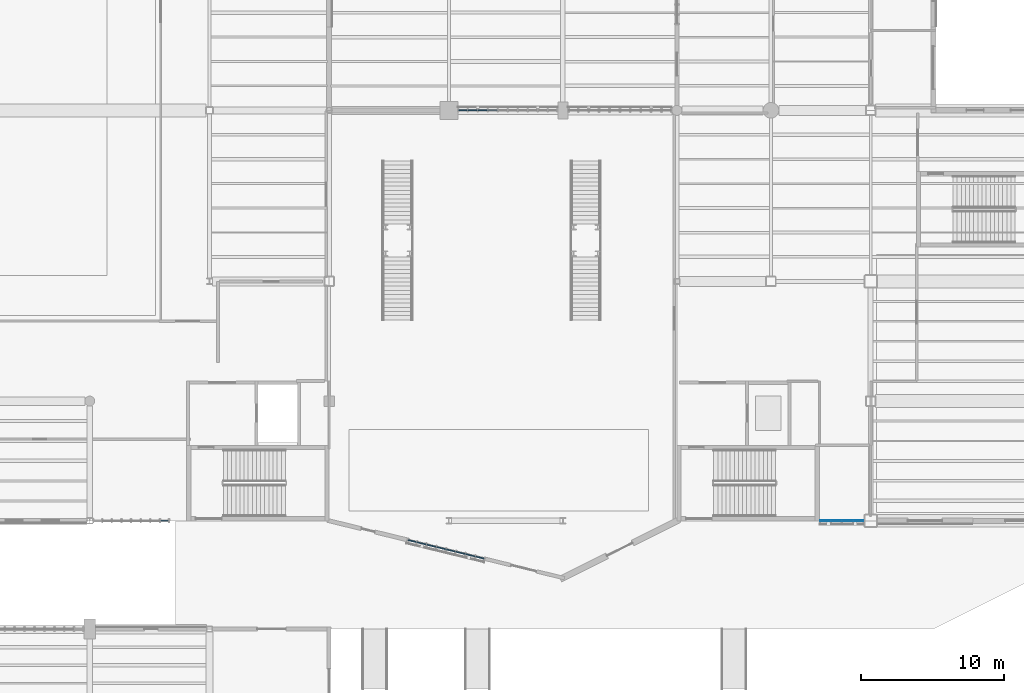
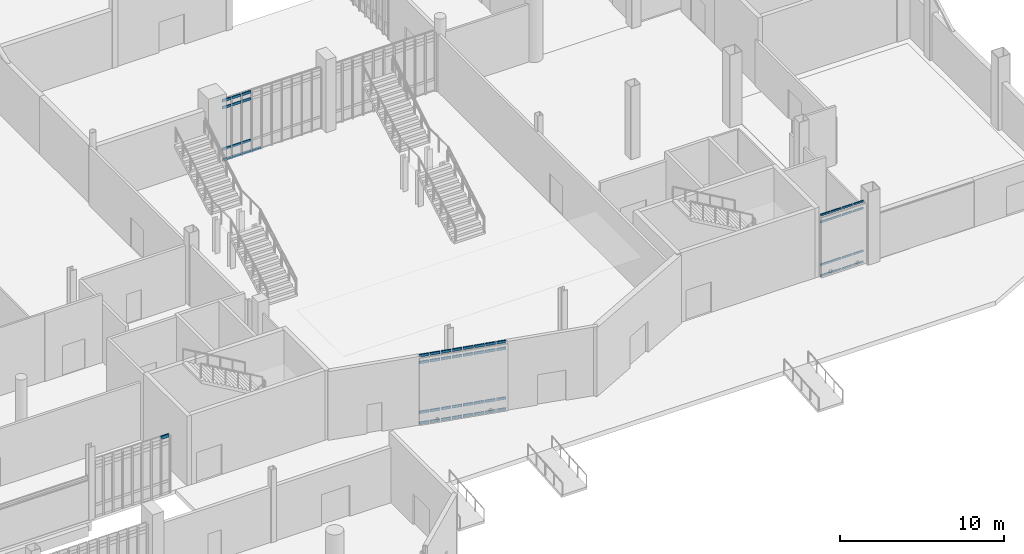
# One storey, part 40 of 111: 62 members, 4 elements without a shape of their own.
"""IFC4 building model written with IfcOpenShell, lengths in metres."""

from ifc_helpers import new_model, si_unit, direction, frame, origin, origin_2d, place, context, subcontext, project, spatial, rectangle, extrude, material, material_profile, profile_set, type_object, element, aggregate, save


model = new_model("IFC4")

# Units and contexts
model_context = context("Model", 3, precision=1e-05, world=origin(), true_north=direction((0.0, 1.0)))
body_context = subcontext(model_context, "Body", "Model", "MODEL_VIEW")
ifc_project = project(units=[si_unit("LENGTHUNIT", "METRE"), si_unit("AREAUNIT", "SQUARE_METRE"), si_unit("VOLUMEUNIT", "CUBIC_METRE"), si_unit("PLANEANGLEUNIT", "RADIAN"), si_unit("MASSUNIT", "GRAM", prefix="KILO")], contexts=[model_context])

# Site, building, storey
site_placement = place(None, origin())
site = spatial("IfcSite", under=ifc_project, at=site_placement, CompositionType="ELEMENT")
building_placement = place(site_placement, origin())
building = spatial("IfcBuilding", under=site, at=building_placement, Name="Larkvane Passage Sports Hall", CompositionType="ELEMENT")
storey_placement = place(building_placement, origin())
storey = spatial("IfcBuildingStorey", under=building, at=storey_placement, Name="L00", CompositionType="ELEMENT", Elevation=0.0)

# Curtain wall, members
ifc_material_1 = material(Name="Thermally broken aluminium and low-E glazing", Category="aluminium")
curtain_wall_type_1 = type_object("IfcCurtainWallType", Name="CW-UNIT-COURT", PredefinedType="USERDEFINED", material=ifc_material_1)
curtain_wall_1_placement = place(storey_placement, origin())
curtain_wall_1 = element("IfcCurtainWall", 1, at=curtain_wall_1_placement, inside=storey, type_object=curtain_wall_type_1, Name="Curtain wall CW5-L00-024", ObjectType="UNITISED CURTAIN WALL", PredefinedType="USERDEFINED")
ifc_material_2 = material(Name="Anodised aluminium 6063-T6", Category="aluminium")
ifc_material_profile_1 = material_profile(ifc_material_2, rectangle(XDim=0.06494140625, YDim=0.139892578125, at=origin_2d()), Name="ALU-TRN-65x140")
ifc_profile_set_1 = profile_set([ifc_material_profile_1], Name="Anodised aluminium 6063-T6")
member_type_1 = type_object("IfcMemberType", Name="CW-TRN-65x140", PredefinedType="USERDEFINED", material=ifc_profile_set_1)
member_1_placement = place(storey_placement, frame((131.089111328125, 22.800048828125, 0.032470703125), z_axis=(-1.0, 0.0, 0.0), x_axis=(0.0, -1.0, 0.0)))
member_1 = element("IfcMember", 2, at=member_1_placement, type_object=member_type_1, Name="CW-01 transom 1.1", ObjectType="TRANSOM", PredefinedType="USERDEFINED", context=body_context, shape_type="SweptSolid", body=[
    extrude(rectangle(XDim=0.06494140625, YDim=0.139892578125, at=origin_2d()), origin(), (0.0, 0.0, 1.0), 0.688720703125),
])
member_2_placement = place(storey_placement, frame((131.089111328125, 22.800048828125, 0.85009765625), z_axis=(-1.0, 0.0, 0.0), x_axis=(0.0, -1.0, 0.0)))
member_2 = element("IfcMember", 3, at=member_2_placement, type_object=member_type_1, Name="CW-01 transom 1.2", ObjectType="TRANSOM", PredefinedType="USERDEFINED", context=body_context, shape_type="SweptSolid", body=[
    extrude(rectangle(XDim=0.06494140625, YDim=0.139892578125, at=origin_2d()), origin(), (0.0, 0.0, 1.0), 0.688720703125),
])
member_3_placement = place(storey_placement, frame((131.089111328125, 22.800048828125, 4.02001953125), z_axis=(-1.0, 0.0, 0.0), x_axis=(0.0, -1.0, 0.0)))
member_3 = element("IfcMember", 4, at=member_3_placement, type_object=member_type_1, Name="CW-01 transom 1.3", ObjectType="TRANSOM", PredefinedType="USERDEFINED", context=body_context, shape_type="SweptSolid", body=[
    extrude(rectangle(XDim=0.06494140625, YDim=0.139892578125, at=origin_2d()), origin(), (0.0, 0.0, 1.0), 0.688720703125),
])
member_4_placement = place(storey_placement, frame((131.089111328125, 22.800048828125, 4.53759765625), z_axis=(-1.0, 0.0, 0.0), x_axis=(0.0, -1.0, 0.0)))
member_4 = element("IfcMember", 5, at=member_4_placement, type_object=member_type_1, Name="CW-01 transom 1.4", ObjectType="TRANSOM", PredefinedType="USERDEFINED", context=body_context, shape_type="SweptSolid", body=[
    extrude(rectangle(XDim=0.06494140625, YDim=0.139892578125, at=origin_2d()), origin(), (0.0, 0.0, 1.0), 0.688720703125),
])
member_5_placement = place(storey_placement, frame((130.33544921875, 22.800048828125, 0.032470703125), z_axis=(-1.0, 0.0, 0.0), x_axis=(0.0, -1.0, 0.0)))
member_5 = element("IfcMember", 6, at=member_5_placement, type_object=member_type_1, Name="CW-01 transom 2.1", ObjectType="TRANSOM", PredefinedType="USERDEFINED", context=body_context, shape_type="SweptSolid", body=[
    extrude(rectangle(XDim=0.06494140625, YDim=0.139892578125, at=origin_2d()), origin(), (0.0, 0.0, 1.0), 0.720947265625),
])
member_6_placement = place(storey_placement, frame((130.33544921875, 22.800048828125, 0.85009765625), z_axis=(-1.0, 0.0, 0.0), x_axis=(0.0, -1.0, 0.0)))
member_6 = element("IfcMember", 7, at=member_6_placement, type_object=member_type_1, Name="CW-01 transom 2.2", ObjectType="TRANSOM", PredefinedType="USERDEFINED", context=body_context, shape_type="SweptSolid", body=[
    extrude(rectangle(XDim=0.06494140625, YDim=0.139892578125, at=origin_2d()), origin(), (0.0, 0.0, 1.0), 0.720947265625),
])
member_7_placement = place(storey_placement, frame((130.33544921875, 22.800048828125, 4.02001953125), z_axis=(-1.0, 0.0, 0.0), x_axis=(0.0, -1.0, 0.0)))
member_7 = element("IfcMember", 8, at=member_7_placement, type_object=member_type_1, Name="CW-01 transom 2.3", ObjectType="TRANSOM", PredefinedType="USERDEFINED", context=body_context, shape_type="SweptSolid", body=[
    extrude(rectangle(XDim=0.06494140625, YDim=0.139892578125, at=origin_2d()), origin(), (0.0, 0.0, 1.0), 0.720947265625),
])
member_8_placement = place(storey_placement, frame((130.33544921875, 22.800048828125, 4.53759765625), z_axis=(-1.0, 0.0, 0.0), x_axis=(0.0, -1.0, 0.0)))
member_8 = element("IfcMember", 9, at=member_8_placement, type_object=member_type_1, Name="CW-01 transom 2.4", ObjectType="TRANSOM", PredefinedType="USERDEFINED", context=body_context, shape_type="SweptSolid", body=[
    extrude(rectangle(XDim=0.06494140625, YDim=0.139892578125, at=origin_2d()), origin(), (0.0, 0.0, 1.0), 0.720947265625),
])
member_9_placement = place(storey_placement, frame((129.549560546875, 22.800048828125, 0.032470703125), z_axis=(-1.0, 0.0, 0.0), x_axis=(0.0, -1.0, 0.0)))
member_9 = element("IfcMember", 10, at=member_9_placement, type_object=member_type_1, Name="CW-01 transom 3.1", ObjectType="TRANSOM", PredefinedType="USERDEFINED", context=body_context, shape_type="SweptSolid", body=[
    extrude(rectangle(XDim=0.06494140625, YDim=0.139892578125, at=origin_2d()), origin(), (0.0, 0.0, 1.0), 0.720947265625),
])
member_10_placement = place(storey_placement, frame((129.549560546875, 22.800048828125, 0.85009765625), z_axis=(-1.0, 0.0, 0.0), x_axis=(0.0, -1.0, 0.0)))
member_10 = element("IfcMember", 11, at=member_10_placement, type_object=member_type_1, Name="CW-01 transom 3.2", ObjectType="TRANSOM", PredefinedType="USERDEFINED", context=body_context, shape_type="SweptSolid", body=[
    extrude(rectangle(XDim=0.06494140625, YDim=0.139892578125, at=origin_2d()), origin(), (0.0, 0.0, 1.0), 0.720947265625),
])
member_11_placement = place(storey_placement, frame((129.549560546875, 22.800048828125, 4.02001953125), z_axis=(-1.0, 0.0, 0.0), x_axis=(0.0, -1.0, 0.0)))
member_11 = element("IfcMember", 12, at=member_11_placement, type_object=member_type_1, Name="CW-01 transom 3.3", ObjectType="TRANSOM", PredefinedType="USERDEFINED", context=body_context, shape_type="SweptSolid", body=[
    extrude(rectangle(XDim=0.06494140625, YDim=0.139892578125, at=origin_2d()), origin(), (0.0, 0.0, 1.0), 0.720947265625),
])
member_12_placement = place(storey_placement, frame((129.549560546875, 22.800048828125, 4.53759765625), z_axis=(-1.0, 0.0, 0.0), x_axis=(0.0, -1.0, 0.0)))
member_12 = element("IfcMember", 13, at=member_12_placement, type_object=member_type_1, Name="CW-01 transom 3.4", ObjectType="TRANSOM", PredefinedType="USERDEFINED", context=body_context, shape_type="SweptSolid", body=[
    extrude(rectangle(XDim=0.06494140625, YDim=0.139892578125, at=origin_2d()), origin(), (0.0, 0.0, 1.0), 0.720947265625),
])
member_13_placement = place(storey_placement, frame((128.763427734375, 22.800048828125, 0.032470703125), z_axis=(-1.0, 0.0, 0.0), x_axis=(0.0, -1.0, 0.0)))
member_13 = element("IfcMember", 14, at=member_13_placement, type_object=member_type_1, Name="CW-01 transom 4.1", ObjectType="TRANSOM", PredefinedType="USERDEFINED", context=body_context, shape_type="SweptSolid", body=[
    extrude(rectangle(XDim=0.06494140625, YDim=0.139892578125, at=origin_2d()), origin(), (0.0, 0.0, 1.0), 0.6884765625),
])
member_14_placement = place(storey_placement, frame((128.763427734375, 22.800048828125, 0.85009765625), z_axis=(-1.0, 0.0, 0.0), x_axis=(0.0, -1.0, 0.0)))
member_14 = element("IfcMember", 15, at=member_14_placement, type_object=member_type_1, Name="CW-01 transom 4.2", ObjectType="TRANSOM", PredefinedType="USERDEFINED", context=body_context, shape_type="SweptSolid", body=[
    extrude(rectangle(XDim=0.06494140625, YDim=0.139892578125, at=origin_2d()), origin(), (0.0, 0.0, 1.0), 0.6884765625),
])
member_15_placement = place(storey_placement, frame((128.763427734375, 22.800048828125, 4.02001953125), z_axis=(-1.0, 0.0, 0.0), x_axis=(0.0, -1.0, 0.0)))
member_15 = element("IfcMember", 16, at=member_15_placement, type_object=member_type_1, Name="CW-01 transom 4.3", ObjectType="TRANSOM", PredefinedType="USERDEFINED", context=body_context, shape_type="SweptSolid", body=[
    extrude(rectangle(XDim=0.06494140625, YDim=0.139892578125, at=origin_2d()), origin(), (0.0, 0.0, 1.0), 0.6884765625),
])
member_16_placement = place(storey_placement, frame((128.763427734375, 22.800048828125, 4.53759765625), z_axis=(-1.0, 0.0, 0.0), x_axis=(0.0, -1.0, 0.0)))
member_16 = element("IfcMember", 17, at=member_16_placement, type_object=member_type_1, Name="CW-01 transom 4.4", ObjectType="TRANSOM", PredefinedType="USERDEFINED", context=body_context, shape_type="SweptSolid", body=[
    extrude(rectangle(XDim=0.06494140625, YDim=0.139892578125, at=origin_2d()), origin(), (0.0, 0.0, 1.0), 0.6884765625),
])
aggregate(curtain_wall_1, [member_1, member_2, member_3, member_4, member_5, member_6, member_7, member_8, member_9, member_10, member_11, member_12, member_13, member_14, member_15, member_16])

curtain_wall_type_2 = type_object("IfcCurtainWallType", Name="CW-UNIT-VEIL", PredefinedType="USERDEFINED", material=ifc_material_1)
curtain_wall_2_placement = place(storey_placement, origin())
curtain_wall_2 = element("IfcCurtainWall", 18, at=curtain_wall_2_placement, inside=storey, type_object=curtain_wall_type_2, Name="Curtain wall CW5-L00-017", ObjectType="UNITISED CURTAIN WALL", PredefinedType="USERDEFINED")
ifc_material_profile_2 = material_profile(ifc_material_2, rectangle(XDim=0.074951171875, YDim=0.18505859375, at=origin_2d()), Name="ALU-TRN-75x185")
ifc_profile_set_2 = profile_set([ifc_material_profile_2], Name="Anodised aluminium 6063-T6")
member_type_2 = type_object("IfcMemberType", Name="CW-TRN-75x185", PredefinedType="USERDEFINED", material=ifc_profile_set_2)
member_17_placement = place(storey_placement, frame((102.696044921875, 51.60009765625, 0.03759765625), z_axis=(1.0, 0.0, 0.0), x_axis=(0.0, 1.0, 0.0)))
member_17 = element("IfcMember", 19, at=member_17_placement, type_object=member_type_2, Name="CW-02 transom 1.1", ObjectType="TRANSOM", PredefinedType="USERDEFINED", context=body_context, shape_type="SweptSolid", body=[
    extrude(rectangle(XDim=0.074951171875, YDim=0.18505859375, at=origin_2d()), origin(), (0.0, 0.0, 1.0), 0.5908203125),
])
member_18_placement = place(storey_placement, frame((102.696044921875, 51.60009765625, 0.85009765625), z_axis=(1.0, 0.0, 0.0), x_axis=(0.0, 1.0, 0.0)))
member_18 = element("IfcMember", 20, at=member_18_placement, type_object=member_type_2, Name="CW-02 transom 1.2", ObjectType="TRANSOM", PredefinedType="USERDEFINED", context=body_context, shape_type="SweptSolid", body=[
    extrude(rectangle(XDim=0.074951171875, YDim=0.18505859375, at=origin_2d()), origin(), (0.0, 0.0, 1.0), 0.5908203125),
])
member_19_placement = place(storey_placement, frame((102.696044921875, 51.60009765625, 3.929931640625), z_axis=(1.0, 0.0, 0.0), x_axis=(0.0, 1.0, 0.0)))
member_19 = element("IfcMember", 21, at=member_19_placement, type_object=member_type_2, Name="CW-02 transom 1.3", ObjectType="TRANSOM", PredefinedType="USERDEFINED", context=body_context, shape_type="SweptSolid", body=[
    extrude(rectangle(XDim=0.074951171875, YDim=0.18505859375, at=origin_2d()), origin(), (0.0, 0.0, 1.0), 0.5908203125),
])
member_20_placement = place(storey_placement, frame((102.696044921875, 51.60009765625, 4.4423828125), z_axis=(1.0, 0.0, 0.0), x_axis=(0.0, 1.0, 0.0)))
member_20 = element("IfcMember", 22, at=member_20_placement, type_object=member_type_2, Name="CW-02 transom 1.4", ObjectType="TRANSOM", PredefinedType="USERDEFINED", context=body_context, shape_type="SweptSolid", body=[
    extrude(rectangle(XDim=0.074951171875, YDim=0.18505859375, at=origin_2d()), origin(), (0.0, 0.0, 1.0), 0.5908203125),
])
member_21_placement = place(storey_placement, frame((103.36181640625, 51.60009765625, 0.03759765625), z_axis=(1.0, 0.0, 0.0), x_axis=(0.0, 1.0, 0.0)))
member_21 = element("IfcMember", 23, at=member_21_placement, type_object=member_type_2, Name="CW-02 transom 2.1", ObjectType="TRANSOM", PredefinedType="USERDEFINED", context=body_context, shape_type="SweptSolid", body=[
    extrude(rectangle(XDim=0.074951171875, YDim=0.18505859375, at=origin_2d()), origin(), (0.0, 0.0, 1.0), 0.628173828125),
])
member_22_placement = place(storey_placement, frame((103.36181640625, 51.60009765625, 0.85009765625), z_axis=(1.0, 0.0, 0.0), x_axis=(0.0, 1.0, 0.0)))
member_22 = element("IfcMember", 24, at=member_22_placement, type_object=member_type_2, Name="CW-02 transom 2.2", ObjectType="TRANSOM", PredefinedType="USERDEFINED", context=body_context, shape_type="SweptSolid", body=[
    extrude(rectangle(XDim=0.074951171875, YDim=0.18505859375, at=origin_2d()), origin(), (0.0, 0.0, 1.0), 0.628173828125),
])
member_23_placement = place(storey_placement, frame((103.36181640625, 51.60009765625, 3.929931640625), z_axis=(1.0, 0.0, 0.0), x_axis=(0.0, 1.0, 0.0)))
member_23 = element("IfcMember", 25, at=member_23_placement, type_object=member_type_2, Name="CW-02 transom 2.3", ObjectType="TRANSOM", PredefinedType="USERDEFINED", context=body_context, shape_type="SweptSolid", body=[
    extrude(rectangle(XDim=0.074951171875, YDim=0.18505859375, at=origin_2d()), origin(), (0.0, 0.0, 1.0), 0.628173828125),
])
member_24_placement = place(storey_placement, frame((103.36181640625, 51.60009765625, 4.4423828125), z_axis=(1.0, 0.0, 0.0), x_axis=(0.0, 1.0, 0.0)))
member_24 = element("IfcMember", 26, at=member_24_placement, type_object=member_type_2, Name="CW-02 transom 2.4", ObjectType="TRANSOM", PredefinedType="USERDEFINED", context=body_context, shape_type="SweptSolid", body=[
    extrude(rectangle(XDim=0.074951171875, YDim=0.18505859375, at=origin_2d()), origin(), (0.0, 0.0, 1.0), 0.628173828125),
])
member_25_placement = place(storey_placement, frame((104.065185546875, 51.60009765625, 0.03759765625), z_axis=(1.0, 0.0, 0.0), x_axis=(0.0, 1.0, 0.0)))
member_25 = element("IfcMember", 27, at=member_25_placement, type_object=member_type_2, Name="CW-02 transom 3.1", ObjectType="TRANSOM", PredefinedType="USERDEFINED", context=body_context, shape_type="SweptSolid", body=[
    extrude(rectangle(XDim=0.074951171875, YDim=0.18505859375, at=origin_2d()), origin(), (0.0, 0.0, 1.0), 0.628173828125),
])
member_26_placement = place(storey_placement, frame((104.065185546875, 51.60009765625, 0.85009765625), z_axis=(1.0, 0.0, 0.0), x_axis=(0.0, 1.0, 0.0)))
member_26 = element("IfcMember", 28, at=member_26_placement, type_object=member_type_2, Name="CW-02 transom 3.2", ObjectType="TRANSOM", PredefinedType="USERDEFINED", context=body_context, shape_type="SweptSolid", body=[
    extrude(rectangle(XDim=0.074951171875, YDim=0.18505859375, at=origin_2d()), origin(), (0.0, 0.0, 1.0), 0.628173828125),
])
member_27_placement = place(storey_placement, frame((104.065185546875, 51.60009765625, 3.929931640625), z_axis=(1.0, 0.0, 0.0), x_axis=(0.0, 1.0, 0.0)))
member_27 = element("IfcMember", 29, at=member_27_placement, type_object=member_type_2, Name="CW-02 transom 3.3", ObjectType="TRANSOM", PredefinedType="USERDEFINED", context=body_context, shape_type="SweptSolid", body=[
    extrude(rectangle(XDim=0.074951171875, YDim=0.18505859375, at=origin_2d()), origin(), (0.0, 0.0, 1.0), 0.628173828125),
])
member_28_placement = place(storey_placement, frame((104.065185546875, 51.60009765625, 4.4423828125), z_axis=(1.0, 0.0, 0.0), x_axis=(0.0, 1.0, 0.0)))
member_28 = element("IfcMember", 30, at=member_28_placement, type_object=member_type_2, Name="CW-02 transom 3.4", ObjectType="TRANSOM", PredefinedType="USERDEFINED", context=body_context, shape_type="SweptSolid", body=[
    extrude(rectangle(XDim=0.074951171875, YDim=0.18505859375, at=origin_2d()), origin(), (0.0, 0.0, 1.0), 0.628173828125),
])
member_29_placement = place(storey_placement, frame((104.768310546875, 51.60009765625, 0.03759765625), z_axis=(1.0, 0.0, 0.0), x_axis=(0.0, 1.0, 0.0)))
member_29 = element("IfcMember", 31, at=member_29_placement, type_object=member_type_2, Name="CW-02 transom 4.1", ObjectType="TRANSOM", PredefinedType="USERDEFINED", context=body_context, shape_type="SweptSolid", body=[
    extrude(rectangle(XDim=0.074951171875, YDim=0.18505859375, at=origin_2d()), origin(), (0.0, 0.0, 1.0), 0.62841796875),
])
aggregate(curtain_wall_2, [member_17, member_18, member_19, member_20, member_21, member_22, member_23, member_24, member_25, member_26, member_27, member_28, member_29])

curtain_wall_3_placement = place(storey_placement, origin())
curtain_wall_3 = element("IfcCurtainWall", 32, at=curtain_wall_3_placement, inside=storey, type_object=curtain_wall_type_2, Name="Curtain wall CW5-L00-025", ObjectType="UNITISED CURTAIN WALL", PredefinedType="USERDEFINED")
member_30_placement = place(storey_placement, frame((104.46044921875, 20.151123046875, 0.03759765625), z_axis=(-0.971559771224, 0.236794448708, 0.0), x_axis=(-0.236794448708, -0.971559771224, 0.0)))
member_30 = element("IfcMember", 33, at=member_30_placement, type_object=member_type_2, Name="CW-02 transom 1.1", ObjectType="TRANSOM", PredefinedType="USERDEFINED", context=body_context, shape_type="SweptSolid", body=[
    extrude(rectangle(XDim=0.074951171875, YDim=0.18505859375, at=origin_2d()), origin(), (0.0, 0.0, 1.0), 0.5908203125),
])
member_31_placement = place(storey_placement, frame((104.46044921875, 20.151123046875, 0.85009765625), z_axis=(-0.971559771224, 0.236794448708, 0.0), x_axis=(-0.236794448708, -0.971559771224, 0.0)))
member_31 = element("IfcMember", 34, at=member_31_placement, type_object=member_type_2, Name="CW-02 transom 1.2", ObjectType="TRANSOM", PredefinedType="USERDEFINED", context=body_context, shape_type="SweptSolid", body=[
    extrude(rectangle(XDim=0.074951171875, YDim=0.18505859375, at=origin_2d()), origin(), (0.0, 0.0, 1.0), 0.5908203125),
])
member_32_placement = place(storey_placement, frame((104.46044921875, 20.151123046875, 4.550048828125), z_axis=(-0.971559771224, 0.236794448708, 0.0), x_axis=(-0.236794448708, -0.971559771224, 0.0)))
member_32 = element("IfcMember", 35, at=member_32_placement, type_object=member_type_2, Name="CW-02 transom 1.3", ObjectType="TRANSOM", PredefinedType="USERDEFINED", context=body_context, shape_type="SweptSolid", body=[
    extrude(rectangle(XDim=0.074951171875, YDim=0.18505859375, at=origin_2d()), origin(), (0.0, 0.0, 1.0), 0.5908203125),
])
member_33_placement = place(storey_placement, frame((104.46044921875, 20.151123046875, 5.0625), z_axis=(-0.971559771224, 0.236794448708, 0.0), x_axis=(-0.236794448708, -0.971559771224, 0.0)))
member_33 = element("IfcMember", 36, at=member_33_placement, type_object=member_type_2, Name="CW-02 transom 1.4", ObjectType="TRANSOM", PredefinedType="USERDEFINED", context=body_context, shape_type="SweptSolid", body=[
    extrude(rectangle(XDim=0.074951171875, YDim=0.18505859375, at=origin_2d()), origin(), (0.0, 0.0, 1.0), 0.5908203125),
])
member_34_placement = place(storey_placement, frame((103.8134765625, 20.308837890625, 0.03759765625), z_axis=(-0.971498515495, 0.237045637781, 0.0), x_axis=(-0.237045637781, -0.971498515495, 0.0)))
member_34 = element("IfcMember", 37, at=member_34_placement, type_object=member_type_2, Name="CW-02 transom 2.1", ObjectType="TRANSOM", PredefinedType="USERDEFINED", context=body_context, shape_type="SweptSolid", body=[
    extrude(rectangle(XDim=0.074951171875, YDim=0.18505859375, at=origin_2d()), origin(), (0.0, 0.0, 1.0), 0.628173828125),
])
member_35_placement = place(storey_placement, frame((103.8134765625, 20.308837890625, 0.85009765625), z_axis=(-0.971498515495, 0.237045637781, 0.0), x_axis=(-0.237045637781, -0.971498515495, 0.0)))
member_35 = element("IfcMember", 38, at=member_35_placement, type_object=member_type_2, Name="CW-02 transom 2.2", ObjectType="TRANSOM", PredefinedType="USERDEFINED", context=body_context, shape_type="SweptSolid", body=[
    extrude(rectangle(XDim=0.074951171875, YDim=0.18505859375, at=origin_2d()), origin(), (0.0, 0.0, 1.0), 0.628173828125),
])
member_36_placement = place(storey_placement, frame((103.8134765625, 20.308837890625, 4.550048828125), z_axis=(-0.971498515495, 0.237045637781, 0.0), x_axis=(-0.237045637781, -0.971498515495, 0.0)))
member_36 = element("IfcMember", 39, at=member_36_placement, type_object=member_type_2, Name="CW-02 transom 2.3", ObjectType="TRANSOM", PredefinedType="USERDEFINED", context=body_context, shape_type="SweptSolid", body=[
    extrude(rectangle(XDim=0.074951171875, YDim=0.18505859375, at=origin_2d()), origin(), (0.0, 0.0, 1.0), 0.628173828125),
])
member_37_placement = place(storey_placement, frame((103.8134765625, 20.308837890625, 5.0625), z_axis=(-0.971498515495, 0.237045637781, 0.0), x_axis=(-0.237045637781, -0.971498515495, 0.0)))
member_37 = element("IfcMember", 40, at=member_37_placement, type_object=member_type_2, Name="CW-02 transom 2.4", ObjectType="TRANSOM", PredefinedType="USERDEFINED", context=body_context, shape_type="SweptSolid", body=[
    extrude(rectangle(XDim=0.074951171875, YDim=0.18505859375, at=origin_2d()), origin(), (0.0, 0.0, 1.0), 0.628173828125),
])
member_38_placement = place(storey_placement, frame((103.130126953125, 20.4755859375, 0.03759765625), z_axis=(-0.971498515495, 0.237045637781, 0.0), x_axis=(-0.237045637781, -0.971498515495, 0.0)))
member_38 = element("IfcMember", 41, at=member_38_placement, type_object=member_type_2, Name="CW-02 transom 3.1", ObjectType="TRANSOM", PredefinedType="USERDEFINED", context=body_context, shape_type="SweptSolid", body=[
    extrude(rectangle(XDim=0.074951171875, YDim=0.18505859375, at=origin_2d()), origin(), (0.0, 0.0, 1.0), 0.628173828125),
])
member_39_placement = place(storey_placement, frame((103.130126953125, 20.4755859375, 0.85009765625), z_axis=(-0.971498515495, 0.237045637781, 0.0), x_axis=(-0.237045637781, -0.971498515495, 0.0)))
member_39 = element("IfcMember", 42, at=member_39_placement, type_object=member_type_2, Name="CW-02 transom 3.2", ObjectType="TRANSOM", PredefinedType="USERDEFINED", context=body_context, shape_type="SweptSolid", body=[
    extrude(rectangle(XDim=0.074951171875, YDim=0.18505859375, at=origin_2d()), origin(), (0.0, 0.0, 1.0), 0.628173828125),
])
member_40_placement = place(storey_placement, frame((103.130126953125, 20.4755859375, 4.550048828125), z_axis=(-0.971498515495, 0.237045637781, 0.0), x_axis=(-0.237045637781, -0.971498515495, 0.0)))
member_40 = element("IfcMember", 43, at=member_40_placement, type_object=member_type_2, Name="CW-02 transom 3.3", ObjectType="TRANSOM", PredefinedType="USERDEFINED", context=body_context, shape_type="SweptSolid", body=[
    extrude(rectangle(XDim=0.074951171875, YDim=0.18505859375, at=origin_2d()), origin(), (0.0, 0.0, 1.0), 0.628173828125),
])
member_41_placement = place(storey_placement, frame((103.130126953125, 20.4755859375, 5.0625), z_axis=(-0.971498515495, 0.237045637781, 0.0), x_axis=(-0.237045637781, -0.971498515495, 0.0)))
member_41 = element("IfcMember", 44, at=member_41_placement, type_object=member_type_2, Name="CW-02 transom 3.4", ObjectType="TRANSOM", PredefinedType="USERDEFINED", context=body_context, shape_type="SweptSolid", body=[
    extrude(rectangle(XDim=0.074951171875, YDim=0.18505859375, at=origin_2d()), origin(), (0.0, 0.0, 1.0), 0.628173828125),
])
member_42_placement = place(storey_placement, frame((102.44677734375, 20.64208984375, 0.03759765625), z_axis=(-0.971498515495, 0.237045637781, 0.0), x_axis=(-0.237045637781, -0.971498515495, 0.0)))
member_42 = element("IfcMember", 45, at=member_42_placement, type_object=member_type_2, Name="CW-02 transom 4.1", ObjectType="TRANSOM", PredefinedType="USERDEFINED", context=body_context, shape_type="SweptSolid", body=[
    extrude(rectangle(XDim=0.074951171875, YDim=0.18505859375, at=origin_2d()), origin(), (0.0, 0.0, 1.0), 0.628173828125),
])
member_43_placement = place(storey_placement, frame((102.44677734375, 20.64208984375, 0.85009765625), z_axis=(-0.971498515495, 0.237045637781, 0.0), x_axis=(-0.237045637781, -0.971498515495, 0.0)))
member_43 = element("IfcMember", 46, at=member_43_placement, type_object=member_type_2, Name="CW-02 transom 4.2", ObjectType="TRANSOM", PredefinedType="USERDEFINED", context=body_context, shape_type="SweptSolid", body=[
    extrude(rectangle(XDim=0.074951171875, YDim=0.18505859375, at=origin_2d()), origin(), (0.0, 0.0, 1.0), 0.628173828125),
])
member_44_placement = place(storey_placement, frame((102.44677734375, 20.64208984375, 4.550048828125), z_axis=(-0.971498515495, 0.237045637781, 0.0), x_axis=(-0.237045637781, -0.971498515495, 0.0)))
member_44 = element("IfcMember", 47, at=member_44_placement, type_object=member_type_2, Name="CW-02 transom 4.3", ObjectType="TRANSOM", PredefinedType="USERDEFINED", context=body_context, shape_type="SweptSolid", body=[
    extrude(rectangle(XDim=0.074951171875, YDim=0.18505859375, at=origin_2d()), origin(), (0.0, 0.0, 1.0), 0.628173828125),
])
member_45_placement = place(storey_placement, frame((102.44677734375, 20.64208984375, 5.0625), z_axis=(-0.971498515495, 0.237045637781, 0.0), x_axis=(-0.237045637781, -0.971498515495, 0.0)))
member_45 = element("IfcMember", 48, at=member_45_placement, type_object=member_type_2, Name="CW-02 transom 4.4", ObjectType="TRANSOM", PredefinedType="USERDEFINED", context=body_context, shape_type="SweptSolid", body=[
    extrude(rectangle(XDim=0.074951171875, YDim=0.18505859375, at=origin_2d()), origin(), (0.0, 0.0, 1.0), 0.628173828125),
])
member_46_placement = place(storey_placement, frame((101.763671875, 20.808837890625, 0.03759765625), z_axis=(-0.971520338783, 0.236956180191, 0.0), x_axis=(-0.236956180191, -0.971520338783, 0.0)))
member_46 = element("IfcMember", 49, at=member_46_placement, type_object=member_type_2, Name="CW-02 transom 5.1", ObjectType="TRANSOM", PredefinedType="USERDEFINED", context=body_context, shape_type="SweptSolid", body=[
    extrude(rectangle(XDim=0.074951171875, YDim=0.18505859375, at=origin_2d()), origin(), (0.0, 0.0, 1.0), 0.62841796875),
])
member_47_placement = place(storey_placement, frame((101.763671875, 20.808837890625, 0.85009765625), z_axis=(-0.971520338783, 0.236956180191, 0.0), x_axis=(-0.236956180191, -0.971520338783, 0.0)))
member_47 = element("IfcMember", 50, at=member_47_placement, type_object=member_type_2, Name="CW-02 transom 5.2", ObjectType="TRANSOM", PredefinedType="USERDEFINED", context=body_context, shape_type="SweptSolid", body=[
    extrude(rectangle(XDim=0.074951171875, YDim=0.18505859375, at=origin_2d()), origin(), (0.0, 0.0, 1.0), 0.62841796875),
])
member_48_placement = place(storey_placement, frame((101.763671875, 20.808837890625, 4.550048828125), z_axis=(-0.971520338783, 0.236956180191, 0.0), x_axis=(-0.236956180191, -0.971520338783, 0.0)))
member_48 = element("IfcMember", 51, at=member_48_placement, type_object=member_type_2, Name="CW-02 transom 5.3", ObjectType="TRANSOM", PredefinedType="USERDEFINED", context=body_context, shape_type="SweptSolid", body=[
    extrude(rectangle(XDim=0.074951171875, YDim=0.18505859375, at=origin_2d()), origin(), (0.0, 0.0, 1.0), 0.62841796875),
])
member_49_placement = place(storey_placement, frame((101.763671875, 20.808837890625, 5.0625), z_axis=(-0.971520338783, 0.236956180191, 0.0), x_axis=(-0.236956180191, -0.971520338783, 0.0)))
member_49 = element("IfcMember", 52, at=member_49_placement, type_object=member_type_2, Name="CW-02 transom 5.4", ObjectType="TRANSOM", PredefinedType="USERDEFINED", context=body_context, shape_type="SweptSolid", body=[
    extrude(rectangle(XDim=0.074951171875, YDim=0.18505859375, at=origin_2d()), origin(), (0.0, 0.0, 1.0), 0.62841796875),
])
member_50_placement = place(storey_placement, frame((101.080322265625, 20.9755859375, 0.03759765625), z_axis=(-0.971520338783, 0.236956180191, 0.0), x_axis=(-0.236956180191, -0.971520338783, 0.0)))
member_50 = element("IfcMember", 53, at=member_50_placement, type_object=member_type_2, Name="CW-02 transom 6.1", ObjectType="TRANSOM", PredefinedType="USERDEFINED", context=body_context, shape_type="SweptSolid", body=[
    extrude(rectangle(XDim=0.074951171875, YDim=0.18505859375, at=origin_2d()), origin(), (0.0, 0.0, 1.0), 0.62841796875),
])
member_51_placement = place(storey_placement, frame((101.080322265625, 20.9755859375, 0.85009765625), z_axis=(-0.971520338783, 0.236956180191, 0.0), x_axis=(-0.236956180191, -0.971520338783, 0.0)))
member_51 = element("IfcMember", 54, at=member_51_placement, type_object=member_type_2, Name="CW-02 transom 6.2", ObjectType="TRANSOM", PredefinedType="USERDEFINED", context=body_context, shape_type="SweptSolid", body=[
    extrude(rectangle(XDim=0.074951171875, YDim=0.18505859375, at=origin_2d()), origin(), (0.0, 0.0, 1.0), 0.62841796875),
])
member_52_placement = place(storey_placement, frame((101.080322265625, 20.9755859375, 4.550048828125), z_axis=(-0.971520338783, 0.236956180191, 0.0), x_axis=(-0.236956180191, -0.971520338783, 0.0)))
member_52 = element("IfcMember", 55, at=member_52_placement, type_object=member_type_2, Name="CW-02 transom 6.3", ObjectType="TRANSOM", PredefinedType="USERDEFINED", context=body_context, shape_type="SweptSolid", body=[
    extrude(rectangle(XDim=0.074951171875, YDim=0.18505859375, at=origin_2d()), origin(), (0.0, 0.0, 1.0), 0.62841796875),
])
member_53_placement = place(storey_placement, frame((101.080322265625, 20.9755859375, 5.0625), z_axis=(-0.971520338783, 0.236956180191, 0.0), x_axis=(-0.236956180191, -0.971520338783, 0.0)))
member_53 = element("IfcMember", 56, at=member_53_placement, type_object=member_type_2, Name="CW-02 transom 6.4", ObjectType="TRANSOM", PredefinedType="USERDEFINED", context=body_context, shape_type="SweptSolid", body=[
    extrude(rectangle(XDim=0.074951171875, YDim=0.18505859375, at=origin_2d()), origin(), (0.0, 0.0, 1.0), 0.62841796875),
])
member_54_placement = place(storey_placement, frame((100.39697265625, 21.142333984375, 0.03759765625), z_axis=(-0.971520338783, 0.236956180191, 0.0), x_axis=(-0.236956180191, -0.971520338783, 0.0)))
member_54 = element("IfcMember", 57, at=member_54_placement, type_object=member_type_2, Name="CW-02 transom 7.1", ObjectType="TRANSOM", PredefinedType="USERDEFINED", context=body_context, shape_type="SweptSolid", body=[
    extrude(rectangle(XDim=0.074951171875, YDim=0.18505859375, at=origin_2d()), origin(), (0.0, 0.0, 1.0), 0.62841796875),
])
member_55_placement = place(storey_placement, frame((100.39697265625, 21.142333984375, 0.85009765625), z_axis=(-0.971520338783, 0.236956180191, 0.0), x_axis=(-0.236956180191, -0.971520338783, 0.0)))
member_55 = element("IfcMember", 58, at=member_55_placement, type_object=member_type_2, Name="CW-02 transom 7.2", ObjectType="TRANSOM", PredefinedType="USERDEFINED", context=body_context, shape_type="SweptSolid", body=[
    extrude(rectangle(XDim=0.074951171875, YDim=0.18505859375, at=origin_2d()), origin(), (0.0, 0.0, 1.0), 0.62841796875),
])
member_56_placement = place(storey_placement, frame((100.39697265625, 21.142333984375, 4.550048828125), z_axis=(-0.971520338783, 0.236956180191, 0.0), x_axis=(-0.236956180191, -0.971520338783, 0.0)))
member_56 = element("IfcMember", 59, at=member_56_placement, type_object=member_type_2, Name="CW-02 transom 7.3", ObjectType="TRANSOM", PredefinedType="USERDEFINED", context=body_context, shape_type="SweptSolid", body=[
    extrude(rectangle(XDim=0.074951171875, YDim=0.18505859375, at=origin_2d()), origin(), (0.0, 0.0, 1.0), 0.62841796875),
])
member_57_placement = place(storey_placement, frame((100.39697265625, 21.142333984375, 5.0625), z_axis=(-0.971520338783, 0.236956180191, 0.0), x_axis=(-0.236956180191, -0.971520338783, 0.0)))
member_57 = element("IfcMember", 60, at=member_57_placement, type_object=member_type_2, Name="CW-02 transom 7.4", ObjectType="TRANSOM", PredefinedType="USERDEFINED", context=body_context, shape_type="SweptSolid", body=[
    extrude(rectangle(XDim=0.074951171875, YDim=0.18505859375, at=origin_2d()), origin(), (0.0, 0.0, 1.0), 0.62841796875),
])
member_58_placement = place(storey_placement, frame((99.713623046875, 21.308837890625, 0.03759765625), z_axis=(-0.971464629079, 0.237184473454, 0.0), x_axis=(-0.237184473454, -0.971464629079, 0.0)))
member_58 = element("IfcMember", 61, at=member_58_placement, type_object=member_type_2, Name="CW-02 transom 8.1", ObjectType="TRANSOM", PredefinedType="USERDEFINED", context=body_context, shape_type="SweptSolid", body=[
    extrude(rectangle(XDim=0.074951171875, YDim=0.18505859375, at=origin_2d()), origin(), (0.0, 0.0, 1.0), 0.5908203125),
])
member_59_placement = place(storey_placement, frame((99.713623046875, 21.308837890625, 0.85009765625), z_axis=(-0.971464629079, 0.237184473454, 0.0), x_axis=(-0.237184473454, -0.971464629079, 0.0)))
member_59 = element("IfcMember", 62, at=member_59_placement, type_object=member_type_2, Name="CW-02 transom 8.2", ObjectType="TRANSOM", PredefinedType="USERDEFINED", context=body_context, shape_type="SweptSolid", body=[
    extrude(rectangle(XDim=0.074951171875, YDim=0.18505859375, at=origin_2d()), origin(), (0.0, 0.0, 1.0), 0.5908203125),
])
member_60_placement = place(storey_placement, frame((99.713623046875, 21.308837890625, 4.550048828125), z_axis=(-0.971464629079, 0.237184473454, 0.0), x_axis=(-0.237184473454, -0.971464629079, 0.0)))
member_60 = element("IfcMember", 63, at=member_60_placement, type_object=member_type_2, Name="CW-02 transom 8.3", ObjectType="TRANSOM", PredefinedType="USERDEFINED", context=body_context, shape_type="SweptSolid", body=[
    extrude(rectangle(XDim=0.074951171875, YDim=0.18505859375, at=origin_2d()), origin(), (0.0, 0.0, 1.0), 0.5908203125),
])
member_61_placement = place(storey_placement, frame((99.713623046875, 21.308837890625, 5.0625), z_axis=(-0.971464629079, 0.237184473454, 0.0), x_axis=(-0.237184473454, -0.971464629079, 0.0)))
member_61 = element("IfcMember", 64, at=member_61_placement, type_object=member_type_2, Name="CW-02 transom 8.4", ObjectType="TRANSOM", PredefinedType="USERDEFINED", context=body_context, shape_type="SweptSolid", body=[
    extrude(rectangle(XDim=0.074951171875, YDim=0.18505859375, at=origin_2d()), origin(), (0.0, 0.0, 1.0), 0.5908203125),
])
aggregate(curtain_wall_3, [member_30, member_31, member_32, member_33, member_34, member_35, member_36, member_37, member_38, member_39, member_40, member_41, member_42, member_43, member_44, member_45, member_46, member_47, member_48, member_49, member_50, member_51, member_52, member_53, member_54, member_55, member_56, member_57, member_58, member_59, member_60, member_61])

# Curtain wall, member
curtain_wall_type_3 = type_object("IfcCurtainWallType", Name="CW-STICK-FOYER", PredefinedType="USERDEFINED", material=ifc_material_1)
curtain_wall_4_placement = place(storey_placement, origin())
curtain_wall_4 = element("IfcCurtainWall", 65, at=curtain_wall_4_placement, inside=storey, type_object=curtain_wall_type_3, Name="Curtain wall CW5-L00-026", ObjectType="STICK CURTAIN WALL", PredefinedType="USERDEFINED")
ifc_material_profile_3 = material_profile(ifc_material_2, rectangle(XDim=0.090087890625, YDim=0.235107421875, at=origin_2d()), Name="ALU-TRN-90x235")
ifc_profile_set_3 = profile_set([ifc_material_profile_3], Name="Anodised aluminium 6063-T6")
member_type_3 = type_object("IfcMemberType", Name="CW-TRN-90x235", PredefinedType="USERDEFINED", material=ifc_profile_set_3)
member_62_placement = place(storey_placement, frame((82.31005859375, 22.800048828125, 4.222900390625), z_axis=(-1.0, 0.0, 0.0), x_axis=(0.0, -1.0, 0.0)))
member_62 = element("IfcMember", 66, at=member_62_placement, type_object=member_type_3, Name="CW-03 transom 1.4", ObjectType="TRANSOM", PredefinedType="USERDEFINED", context=body_context, shape_type="SweptSolid", body=[
    extrude(rectangle(XDim=0.090087890625, YDim=0.235107421875, at=origin_2d()), origin(), (0.0, 0.0, 1.0), 0.540283203125),
])
aggregate(curtain_wall_4, [member_62])

save(model, "model.ifc")
